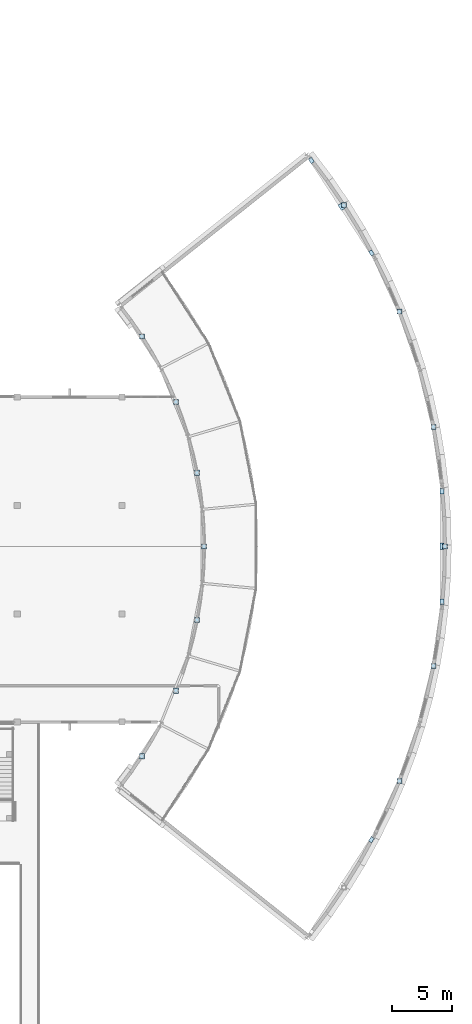
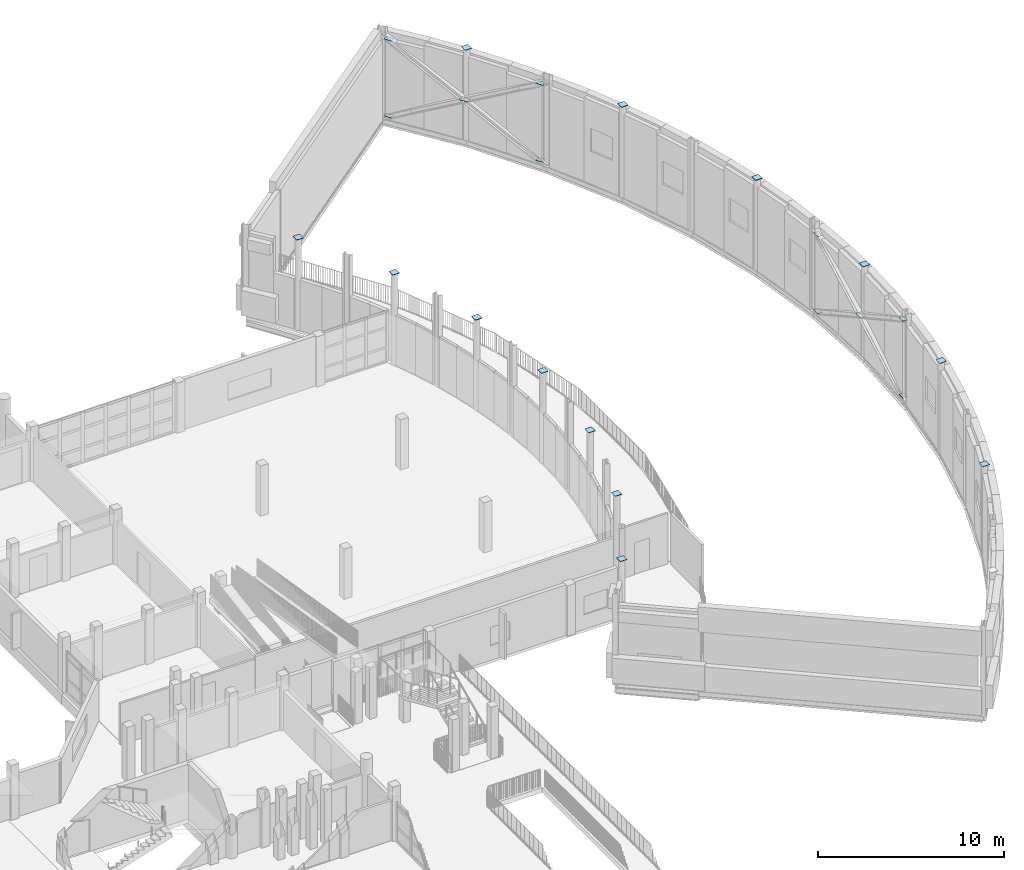
# One storey, part 64 of 104: 25 plates.
"""IFC4 building model written with IfcOpenShell, lengths in metres."""

from ifc_helpers import new_model, si_unit, direction, frame, origin, origin_2d, place, context, subcontext, project, spatial, rectangle, extrude, material, layer, layer_set, type_object, element, save


model = new_model("IFC4")

# Units and contexts
model_context = context("Model", 3, precision=1e-05, world=origin(), true_north=direction((0.0, 1.0)))
body_context = subcontext(model_context, "Body", "Model", "MODEL_VIEW")
ifc_project = project(units=[si_unit("LENGTHUNIT", "METRE"), si_unit("AREAUNIT", "SQUARE_METRE"), si_unit("VOLUMEUNIT", "CUBIC_METRE"), si_unit("PLANEANGLEUNIT", "RADIAN"), si_unit("MASSUNIT", "GRAM", prefix="KILO")], contexts=[model_context])

# Site, building, storey
site_placement = place(None, origin())
site = spatial("IfcSite", under=ifc_project, at=site_placement, CompositionType="ELEMENT")
building_placement = place(site_placement, origin())
building = spatial("IfcBuilding", under=site, at=building_placement, Name="Vanh Quang Courtyard School", CompositionType="ELEMENT")
storey_placement = place(building_placement, frame((0.0, 0.0, 4.199951171875)))
storey = spatial("IfcBuildingStorey", under=building, at=storey_placement, Name="L01", CompositionType="ELEMENT", Elevation=4.199951171875)

# Plates
ifc_material = material(Name="Structural steel EN 10025-2 S355J2", Category="steel")
ifc_layer_1 = layer(ifc_material, 0.02392578125)
ifc_layer_set_1 = layer_set([ifc_layer_1], Name="Structural steel EN 10025-2 S355J2")
plate_type_1 = type_object("IfcPlateType", Name="PLT-CAP-420x420x24", PredefinedType="SHEET", material=ifc_layer_set_1)
for number, where, z_axis, x_axis, name in (
    (1, (138.83740234375, 38.571533203125, 6.0), (0.0, 0.0, 1.0), (1.0, 0.0, 0.0), "Plate PB-04 (L01)"),
    (2, (141.669921875, 44.0126953125, 6.0), (0.0, 0.0, 1.0), (1.0, 0.0, 0.0), "Plate PB-04 (L01)"),
    (3, (143.412109375, 49.89404296875, 6.0), (0.0, 0.0, 1.0), (1.0, 0.0, 0.0), "Plate PB-04 (L01)"),
    (4, (144.0, 56.0, 6.0), (0.0, 0.0, 1.0), (1.0, 0.0, 0.0), "Plate PB-04 (L01)"),
    (5, (143.412109375, 62.10595703125, 6.0), (0.0, 0.0, 1.0), (1.0, 0.0, 0.0), "Plate PB-04 (L01)"),
    (6, (141.669921875, 67.9873046875, 6.0), (0.0, 0.0, 1.0), (1.0, 0.0, 0.0), "Plate PB-04 (L01)"),
    (7, (138.83740234375, 73.428466796875, 6.0), (0.0, 0.0, 1.0), (1.0, 0.0, 0.0), "Plate PB-04 (L01)"),
    (8, (160.213623046875, 36.5205078125, 6.0), (0.0, 0.0, 1.0), (1.0, 0.0, 0.0), "Plate PB-04 (L01)"),
    (9, (163.044677734375, 46.077880859375, 6.0), (0.0, 0.0, 1.0), (1.0, 0.0, 0.0), "Plate PB-04 (L01)"),
    (10, (164.0, 56.0, 6.0), (0.0, 0.0, 1.0), (1.0, 0.0, 0.0), "Plate PB-04 (L01)"),
    (11, (163.044677734375, 65.922119140625, 6.0), (0.0, 0.0, 1.0), (1.0, 0.0, 0.0), "Plate PB-04 (L01)"),
    (12, (160.213623046875, 75.4794921875, 6.0), (0.0, 0.0, 1.0), (1.0, 0.0, 0.0), "Plate PB-04 (L01)"),
    (13, (155.61083984375, 84.3212890625, 6.0), (0.0, 0.0, 1.0), (1.0, 0.0, 0.0), "Plate PB-04 (L01)"),
):
    element("IfcPlate", number, at=place(storey_placement, frame(where, z_axis=z_axis, x_axis=x_axis)), inside=storey, type_object=plate_type_1, Name=name, PredefinedType="SHEET", context=body_context, shape_type="SweptSolid", body=[
        extrude(rectangle(XDim=0.419921875, YDim=0.419921875, at=origin_2d()), origin(), (0.0, 0.0, 1.0), 0.02392578125),
    ])
ifc_layer_2 = layer(ifc_material, 0.01611328125)
ifc_layer_set_2 = layer_set([ifc_layer_2], Name="Structural steel EN 10025-2 S355J2")
plate_type_2 = type_object("IfcPlateType", Name="PLT-GUS-450x300x16", PredefinedType="USERDEFINED", material=ifc_layer_set_2)
for number, where, z_axis, x_axis, name in (
    (14, (157.907470703125, 31.65478515625, 0.2119140625), (0.0, 0.0, 1.0), (0.544639035015, 0.838670567945, 0.0), "Plate PG-02 (L01)"),
    (15, (157.907470703125, 31.65478515625, 5.27197265625), (0.0, 0.0, 1.0), (0.544639035015, 0.838670567945, 0.0), "Plate PG-02 (L01)"),
    (16, (163.760498046875, 51.414794921875, 0.2119140625), (0.0, 0.0, 1.0), (0.0, 1.0, 0.0), "Plate PG-02 (L01)"),
    (17, (163.760498046875, 60.585205078125, 0.2119140625), (0.0, 0.0, 1.0), (0.0, 1.0, 0.0), "Plate PG-02 (L01)"),
    (18, (163.760498046875, 51.414794921875, 5.27197265625), (0.0, 0.0, 1.0), (0.0, 1.0, 0.0), "Plate PG-02 (L01)"),
    (19, (163.760498046875, 60.585205078125, 5.27197265625), (0.0, 0.0, 1.0), (0.0, 1.0, 0.0), "Plate PG-02 (L01)"),
    (20, (157.907470703125, 80.34521484375, 0.2119140625), (0.0, 0.0, 1.0), (-0.544639035015, 0.838670567945, 0.0), "Plate PG-02 (L01)"),
    (21, (152.912841796875, 88.036376953125, 0.2119140625), (0.0, 0.0, 1.0), (-0.544639035015, 0.838670567945, 0.0), "Plate PG-02 (L01)"),
    (22, (157.907470703125, 80.34521484375, 5.27197265625), (0.0, 0.0, 1.0), (-0.544639035015, 0.838670567945, 0.0), "Plate PG-02 (L01)"),
    (23, (152.912841796875, 88.036376953125, 5.27197265625), (0.0, 0.0, 1.0), (-0.544639035015, 0.838670567945, 0.0), "Plate PG-02 (L01)"),
):
    element("IfcPlate", number, at=place(storey_placement, frame(where, z_axis=z_axis, x_axis=x_axis)), inside=storey, type_object=plate_type_2, Name=name, ObjectType="GUSSET_PLATE", PredefinedType="USERDEFINED", context=body_context, shape_type="SweptSolid", body=[
        extrude(rectangle(XDim=0.449951171875, YDim=0.300048828125, at=origin_2d()), origin(), (0.0, 0.0, 1.0), 0.01611328125),
    ])
ifc_layer_3 = layer(ifc_material, 0.02001953125)
ifc_layer_set_3 = layer_set([ifc_layer_3], Name="Structural steel EN 10025-2 S355J2")
plate_type_3 = type_object("IfcPlateType", Name="PLT-GUS-520x340x20", PredefinedType="USERDEFINED", material=ifc_layer_set_3)
for number, where, z_axis, x_axis, name in (
    (24, (163.760498046875, 56.0, 2.739990234375), (0.0, 0.0, 1.0), (0.0, 1.0, 0.0), "Plate PG-01 (L01)"),
    (25, (155.41015625, 84.19091796875, 2.739990234375), (0.0, 0.0, 1.0), (-0.544639035015, 0.838670567945, 0.0), "Plate PG-01 (L01)"),
):
    element("IfcPlate", number, at=place(storey_placement, frame(where, z_axis=z_axis, x_axis=x_axis)), inside=storey, type_object=plate_type_3, Name=name, ObjectType="GUSSET_PLATE", PredefinedType="USERDEFINED", context=body_context, shape_type="SweptSolid", body=[
        extrude(rectangle(XDim=0.52001953125, YDim=0.340087890625, at=origin_2d()), origin(), (0.0, 0.0, 1.0), 0.02001953125),
    ])

save(model, "model.ifc")
